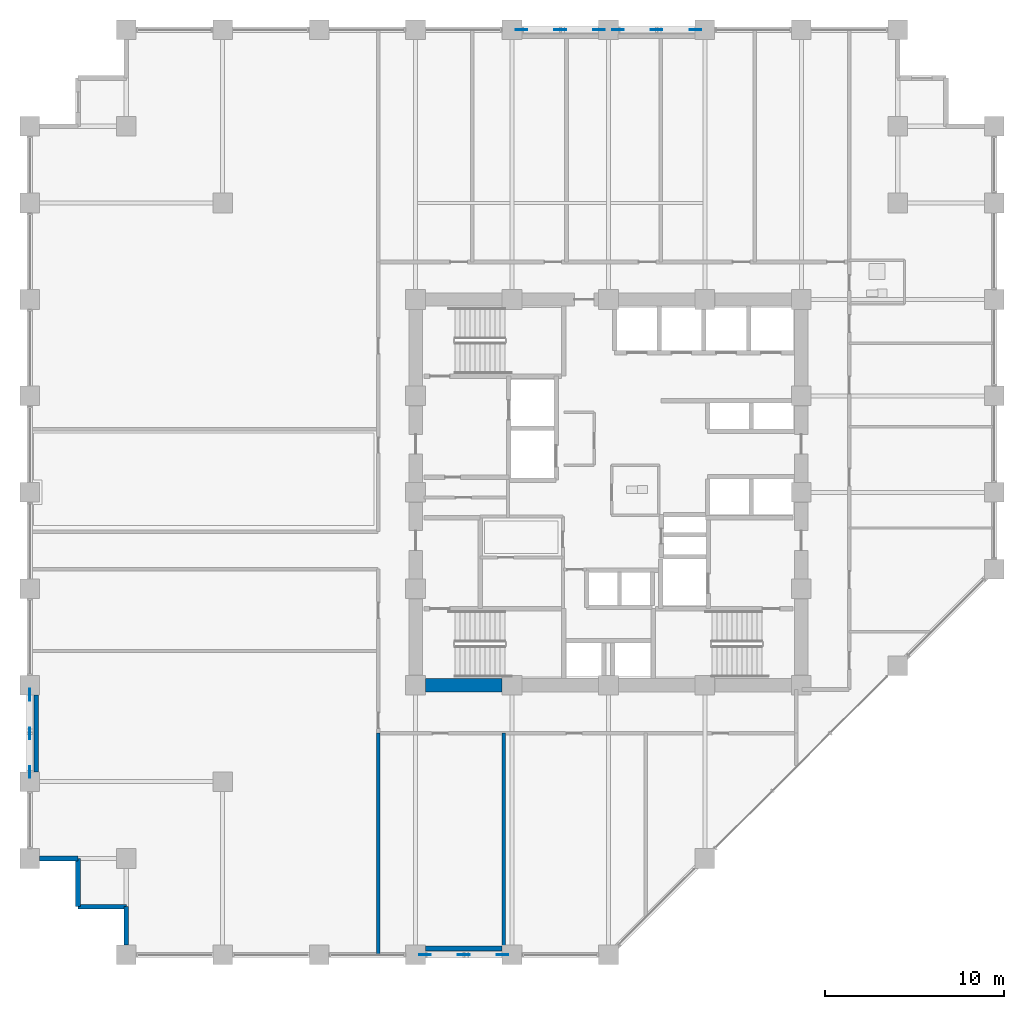
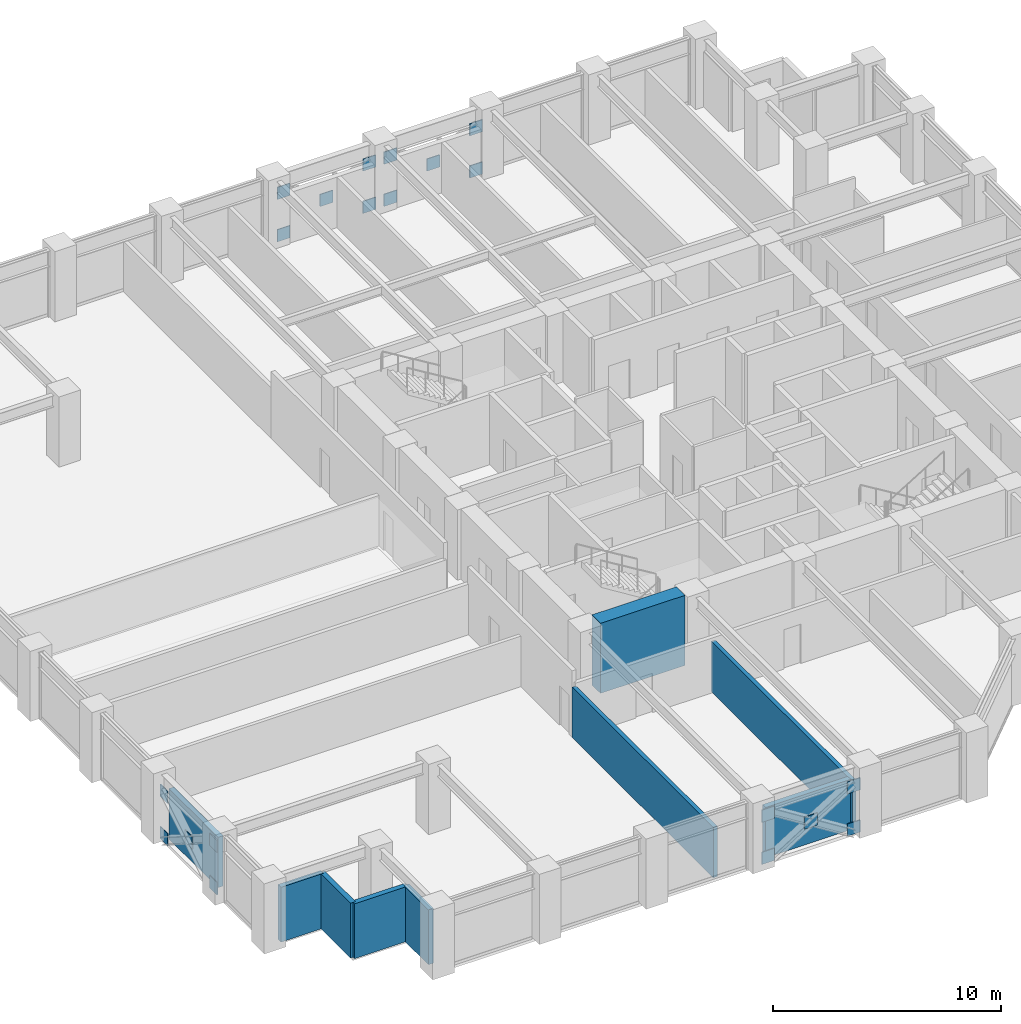
# One storey, part 18 of 25: 20 plates, 9 walls.
"""IFC4 building model written with IfcOpenShell, lengths in metres."""

from ifc_helpers import new_model, si_unit, direction, frame, frame_2d, origin, origin_2d, place, context, subcontext, project, spatial, rectangle, extrude, material, layer, layer_set, type_object, element, save


model = new_model("IFC4")

# Units and contexts
model_context = context("Model", 3, precision=1e-05, world=origin(), true_north=direction((0.0, 1.0)))
body_context = subcontext(model_context, "Body", "Model", "MODEL_VIEW")
ifc_project = project(units=[si_unit("LENGTHUNIT", "METRE"), si_unit("AREAUNIT", "SQUARE_METRE"), si_unit("VOLUMEUNIT", "CUBIC_METRE"), si_unit("PLANEANGLEUNIT", "RADIAN"), si_unit("MASSUNIT", "GRAM", prefix="KILO")], contexts=[model_context])

# Site, building, storey
site_placement = place(None, origin())
site = spatial("IfcSite", under=ifc_project, at=site_placement, CompositionType="ELEMENT")
building_placement = place(site_placement, origin())
building = spatial("IfcBuilding", under=site, at=building_placement, Name="Surkhivell Harbour Commons", CompositionType="ELEMENT")
storey_placement = place(building_placement, frame((0.0, 0.0, 120.75)))
storey = spatial("IfcBuildingStorey", under=building, at=storey_placement, Name="L31", CompositionType="ELEMENT", Elevation=120.75)

# Plates
ifc_material_1 = material(Name="Steel S460", Category="steel")
ifc_layer_1 = layer(ifc_material_1, 0.044921875)
ifc_layer_set_1 = layer_set([ifc_layer_1], Name="Steel S460")
plate_type = type_object("IfcPlateType", Name="PLT-GUS-650", PredefinedType="USERDEFINED", material=ifc_layer_set_1)
for number, where, z_axis, x_axis, name in (
    (1, (-4.864990234375, 25.89990234375, -0.08935546875), (0.0, 0.0, 1.0), (1.0, 0.0, 0.0), "L31 Perimeter Mega-Brace MB- Corner Gusset N-1"),
    (2, (-0.534912109375, 25.89990234375, -0.08935546875), (0.0, 0.0, 1.0), (1.0, 0.0, 0.0), "L31 Perimeter Mega-Brace MB- Corner Gusset N-2"),
    (3, (-4.864990234375, 25.89990234375, 2.170654296875), (0.0, 0.0, 1.0), (1.0, 0.0, 0.0), "L31 Perimeter Mega-Brace MB- Corner Gusset N-3"),
    (4, (-0.534912109375, 25.89990234375, 2.170654296875), (0.0, 0.0, 1.0), (1.0, 0.0, 0.0), "L31 Perimeter Mega-Brace MB- Corner Gusset N-4"),
    (5, (-2.699951171875, 25.89990234375, 1.04052734375), (0.0, 0.0, 1.0), (1.0, 0.0, 0.0), "L31 Perimeter Mega-Brace MB- Central Crossing Gusset N"),
    (6, (0.534912109375, 25.89990234375, -0.08935546875), (0.0, 0.0, 1.0), (1.0, 0.0, 0.0), "L31 Perimeter Mega-Brace MB- Corner Gusset N2-1"),
    (7, (4.864990234375, 25.89990234375, -0.08935546875), (0.0, 0.0, 1.0), (1.0, 0.0, 0.0), "L31 Perimeter Mega-Brace MB- Corner Gusset N2-2"),
    (8, (0.534912109375, 25.89990234375, 2.170654296875), (0.0, 0.0, 1.0), (1.0, 0.0, 0.0), "L31 Perimeter Mega-Brace MB- Corner Gusset N2-3"),
    (9, (4.864990234375, 25.89990234375, 2.170654296875), (0.0, 0.0, 1.0), (1.0, 0.0, 0.0), "L31 Perimeter Mega-Brace MB- Corner Gusset N2-4"),
    (10, (2.699951171875, 25.89990234375, 1.04052734375), (0.0, 0.0, 1.0), (1.0, 0.0, 0.0), "L31 Perimeter Mega-Brace MB- Central Crossing Gusset N2"),
    (11, (-10.264892578125, -25.89990234375, -0.08935546875), (0.0, 0.0, 1.0), (1.0, 0.0, 0.0), "L31 Perimeter Mega-Brace MB- Corner Gusset S-1"),
    (12, (-5.93505859375, -25.89990234375, -0.08935546875), (0.0, 0.0, 1.0), (1.0, 0.0, 0.0), "L31 Perimeter Mega-Brace MB- Corner Gusset S-2"),
    (13, (-10.264892578125, -25.89990234375, 2.170654296875), (0.0, 0.0, 1.0), (1.0, 0.0, 0.0), "L31 Perimeter Mega-Brace MB- Corner Gusset S-3"),
    (14, (-5.93505859375, -25.89990234375, 2.170654296875), (0.0, 0.0, 1.0), (1.0, 0.0, 0.0), "L31 Perimeter Mega-Brace MB- Corner Gusset S-4"),
    (15, (-8.10009765625, -25.89990234375, 1.04052734375), (0.0, 0.0, 1.0), (1.0, 0.0, 0.0), "L31 Perimeter Mega-Brace MB- Central Crossing Gusset S"),
    (16, (-32.39990234375, -15.6650390625, -0.08935546875), (0.0, 0.0, 1.0), (0.0, 1.0, 0.0), "L31 Perimeter Mega-Brace MB- Corner Gusset W-1"),
    (17, (-32.39990234375, -11.3349609375, -0.08935546875), (0.0, 0.0, 1.0), (0.0, 1.0, 0.0), "L31 Perimeter Mega-Brace MB- Corner Gusset W-2"),
    (18, (-32.39990234375, -15.6650390625, 2.170654296875), (0.0, 0.0, 1.0), (0.0, 1.0, 0.0), "L31 Perimeter Mega-Brace MB- Corner Gusset W-3"),
    (19, (-32.39990234375, -11.3349609375, 2.170654296875), (0.0, 0.0, 1.0), (0.0, 1.0, 0.0), "L31 Perimeter Mega-Brace MB- Corner Gusset W-4"),
    (20, (-32.39990234375, -13.5, 1.04052734375), (0.0, 0.0, 1.0), (0.0, 1.0, 0.0), "L31 Perimeter Mega-Brace MB- Central Crossing Gusset W"),
):
    element("IfcPlate", number, at=place(storey_placement, frame(where, z_axis=z_axis, x_axis=x_axis)), inside=storey, type_object=plate_type, Name=name, ObjectType="GUSSET_PLATE", PredefinedType="USERDEFINED", context=body_context, shape_type="SweptSolid", body=[
        extrude(rectangle(XDim=0.64990234375, YDim=0.044921875, at=origin_2d()), origin(), (0.0, 0.0, 1.0), 0.64990234375),
    ])

# Walls
ifc_material_2 = material(Name="Concrete C60/75", Category="concrete")
ifc_layer_2 = layer(ifc_material_2, 0.75)
ifc_layer_set_2 = layer_set([ifc_layer_2], Name="Concrete C60/75")
wall_type_1 = type_object("IfcWallType", Name="WAL-CORE-750", PredefinedType="SHEAR", material=ifc_layer_set_2)
wall_1_placement = place(storey_placement, frame((-10.239990234375, -10.800048828125, 0.0), z_axis=(0.0, 0.0, 1.0), x_axis=(1.0, 0.0, 0.0)))
element("IfcWall", 21, at=wall_1_placement, inside=storey, type_object=wall_type_1, Name="L31 Core Shear Wall South 1", PredefinedType="SHEAR", context=body_context, shape_type="SweptSolid", body=[
    extrude(rectangle(XDim=4.280029296875, YDim=0.75, at=frame_2d((2.14013671875, 0.0))), origin(), (0.0, 0.0, 1.0), 3.75),
])
ifc_material_3 = material(Name="Pale-metal insulated precast concrete C45/55", Category="concrete")
ifc_layer_3 = layer(ifc_material_3, 0.260009765625)
ifc_layer_set_3 = layer_set([ifc_layer_3], Name="Pale-metal insulated precast concrete C45/55")
wall_type_2 = type_object("IfcWallType", Name="WAL-EXT-MTL260", PredefinedType="STANDARD", material=ifc_layer_set_3)
wall_2_placement = place(storey_placement, frame((-10.251953125, -25.5400390625, 0.0), z_axis=(0.0, 0.0, 1.0), x_axis=(1.0, 0.0, 0.0)))
element("IfcWall", 22, at=wall_2_placement, inside=storey, type_object=wall_type_2, Name="L31 Braced-Bay Insulated Spandrel Backing S", PredefinedType="STANDARD", context=body_context, shape_type="SweptSolid", body=[
    extrude(rectangle(XDim=4.303955078125, YDim=0.260009765625, at=frame_2d((2.15185546875, 0.0))), origin(), (0.0, 0.0, 1.0), 2.698974609375),
])
wall_3_placement = place(storey_placement, frame((-32.0400390625, -11.347900390625, 0.0), z_axis=(0.0, 0.0, 1.0), x_axis=(0.0, -1.0, 0.0)))
element("IfcWall", 23, at=wall_3_placement, inside=storey, type_object=wall_type_2, Name="L31 Braced-Bay Insulated Spandrel Backing W", PredefinedType="STANDARD", context=body_context, shape_type="SweptSolid", body=[
    extrude(rectangle(XDim=4.30419921875, YDim=0.260009765625, at=frame_2d((2.152099609375, 0.0))), origin(), (0.0, 0.0, 1.0), 2.698974609375),
])
wall_4_placement = place(storey_placement, frame((-31.85205078125, -20.5, 0.0), z_axis=(0.0, 0.0, 1.0), x_axis=(1.0, 0.0, 0.0)))
element("IfcWall", 24, at=wall_4_placement, inside=storey, type_object=wall_type_2, Name="L31 Serrated Corner Facade Wall 13", PredefinedType="STANDARD", context=body_context, shape_type="SweptSolid", body=[
    extrude(rectangle(XDim=2.152099609375, YDim=0.260009765625, at=frame_2d((1.076171875, 0.0))), origin(), (0.0, 0.0, 1.0), 2.93310546875),
])
for number, where, z_axis, x_axis, name in (
    (25, (-29.699951171875, -20.5, 0.0), (0.0, 0.0, 1.0), (0.0, -1.0, 0.0), "L31 Serrated Corner Facade Wall 14"),
    (26, (-29.699951171875, -23.199951171875, 0.0), (0.0, 0.0, 1.0), (1.0, 0.0, 0.0), "L31 Serrated Corner Facade Wall 15"),
):
    element("IfcWall", number, at=place(storey_placement, frame(where, z_axis=z_axis, x_axis=x_axis)), inside=storey, type_object=wall_type_2, Name=name, PredefinedType="STANDARD", context=body_context, shape_type="SweptSolid", body=[
        extrude(rectangle(XDim=2.699951171875, YDim=0.260009765625, at=frame_2d((1.35009765625, 0.0))), origin(), (0.0, 0.0, 1.0), 2.93310546875),
    ])
wall_5_placement = place(storey_placement, frame((-27.0, -23.199951171875, 0.0), z_axis=(0.0, 0.0, 1.0), x_axis=(0.0, -1.0, 0.0)))
element("IfcWall", 27, at=wall_5_placement, inside=storey, type_object=wall_type_2, Name="L31 Serrated Corner Facade Wall 16", PredefinedType="STANDARD", context=body_context, shape_type="SweptSolid", body=[
    extrude(rectangle(XDim=2.152099609375, YDim=0.260009765625, at=frame_2d((1.076171875, 0.0))), origin(), (0.0, 0.0, 1.0), 2.93310546875),
])
ifc_material_4 = material(Name="Autoclaved aerated concrete blockwork and fire plaster", Category="masonry")
ifc_layer_4 = layer(ifc_material_4, 0.199951171875)
ifc_layer_set_4 = layer_set([ifc_layer_4], Name="Autoclaved aerated concrete blockwork and fire plaster")
wall_type_3 = type_object("IfcWallType", Name="WAL-INT-200", PredefinedType="PARTITIONING", material=ifc_layer_set_4)
for number, where, z_axis, x_axis, name in (
    (28, (-12.89990234375, -25.840087890625, 0.0), (0.0, 0.0, 1.0), (0.0, 1.0, 0.0), "L31 South-West Wing Corner Divider"),
    (29, (-5.8701171875, -25.840087890625, 0.0), (0.0, 0.0, 1.0), (0.0, 1.0, 0.0), "L31 South Partition P1"),
):
    element("IfcWall", number, at=place(storey_placement, frame(where, z_axis=z_axis, x_axis=x_axis)), inside=storey, type_object=wall_type_3, Name=name, PredefinedType="PARTITIONING", context=body_context, shape_type="SweptSolid", body=[
        extrude(rectangle(XDim=12.360107421875, YDim=0.199951171875, at=frame_2d((6.18017578125, 0.0))), origin(), (0.0, 0.0, 1.0), 2.698974609375),
    ])

save(model, "model.ifc")
